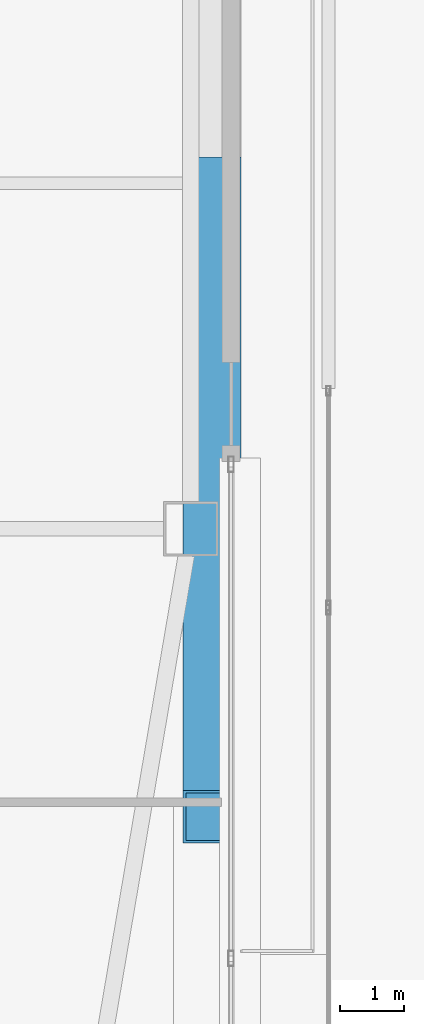
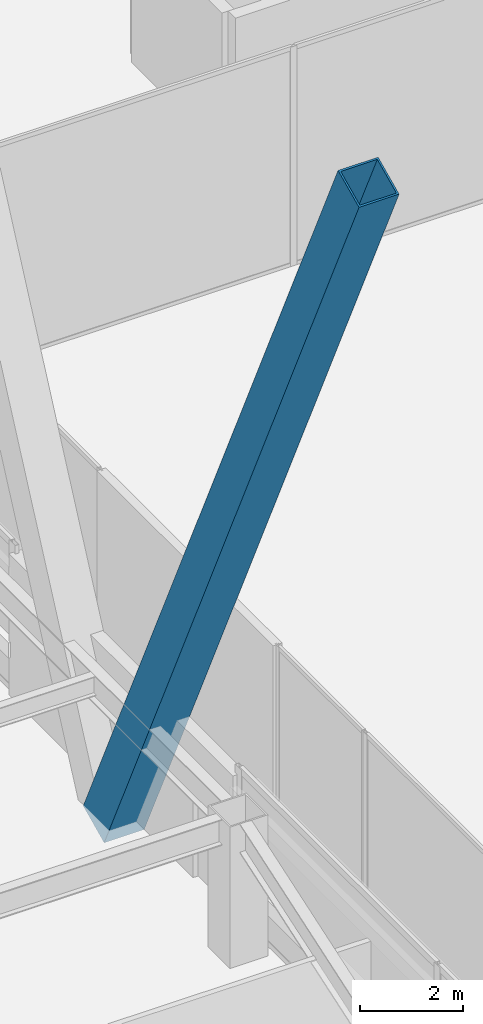
# One storey, part 27 of 83: 1 member.
"""IFC4 building model written with IfcOpenShell, lengths in metres."""

from ifc_helpers import new_model, si_unit, direction, frame, origin, origin_2d, place, context, subcontext, project, spatial, hollow_rectangle, extrude, material, material_profile, profile_set, type_object, element, save


model = new_model("IFC4")

# Units and contexts
model_context = context("Model", 3, precision=1e-05, world=origin(), true_north=direction((0.0, 1.0)))
body_context = subcontext(model_context, "Body", "Model", "MODEL_VIEW")
ifc_project = project(units=[si_unit("LENGTHUNIT", "METRE"), si_unit("AREAUNIT", "SQUARE_METRE"), si_unit("VOLUMEUNIT", "CUBIC_METRE"), si_unit("PLANEANGLEUNIT", "RADIAN"), si_unit("MASSUNIT", "GRAM", prefix="KILO")], contexts=[model_context])

# Site, building, storey
site_placement = place(None, origin())
site = spatial("IfcSite", under=ifc_project, at=site_placement, CompositionType="ELEMENT")
building_placement = place(site_placement, origin())
building = spatial("IfcBuilding", under=site, at=building_placement, Name="Tashvorn Skyway Center", CompositionType="ELEMENT")
storey_placement = place(building_placement, frame((0.0, 0.0, 24.60009765625)))
storey = spatial("IfcBuildingStorey", under=building, at=storey_placement, Name="L05", CompositionType="ELEMENT", Elevation=24.60009765625)

# Member
ifc_material = material(Name="Steel ASTM A572 Grade 50", Category="steel")
ifc_material_profile = material_profile(ifc_material, hollow_rectangle(XDim=0.89990234375, YDim=0.89990234375, WallThickness=0.0400390625, at=origin_2d()), Name="BOX900x900x40")
ifc_profile_set = profile_set([ifc_material_profile], Name="Steel ASTM A572 Grade 50")
member_type = type_object("IfcMemberType", Name="MEM-MB-900", PredefinedType="BRACE", material=ifc_profile_set)
member_placement = place(storey_placement, frame((64.580078125, 32.0, -0.22021484375), z_axis=(0.0, -0.425254538693, 0.905073796616), x_axis=(1.0, 0.0, 0.0)))
element("IfcMember", 1, at=member_placement, inside=storey, type_object=member_type, Name="Tower 1 Zone 1 E Chevron Mega-Brace L1", PredefinedType="BRACE", context=body_context, shape_type="SweptSolid", body=[
    extrude(hollow_rectangle(XDim=0.89990234375, YDim=0.89990234375, WallThickness=0.0400390625, at=origin_2d()), origin(), (0.0, 0.0, 1.0), 23.280029296875),
])

save(model, "model.ifc")
